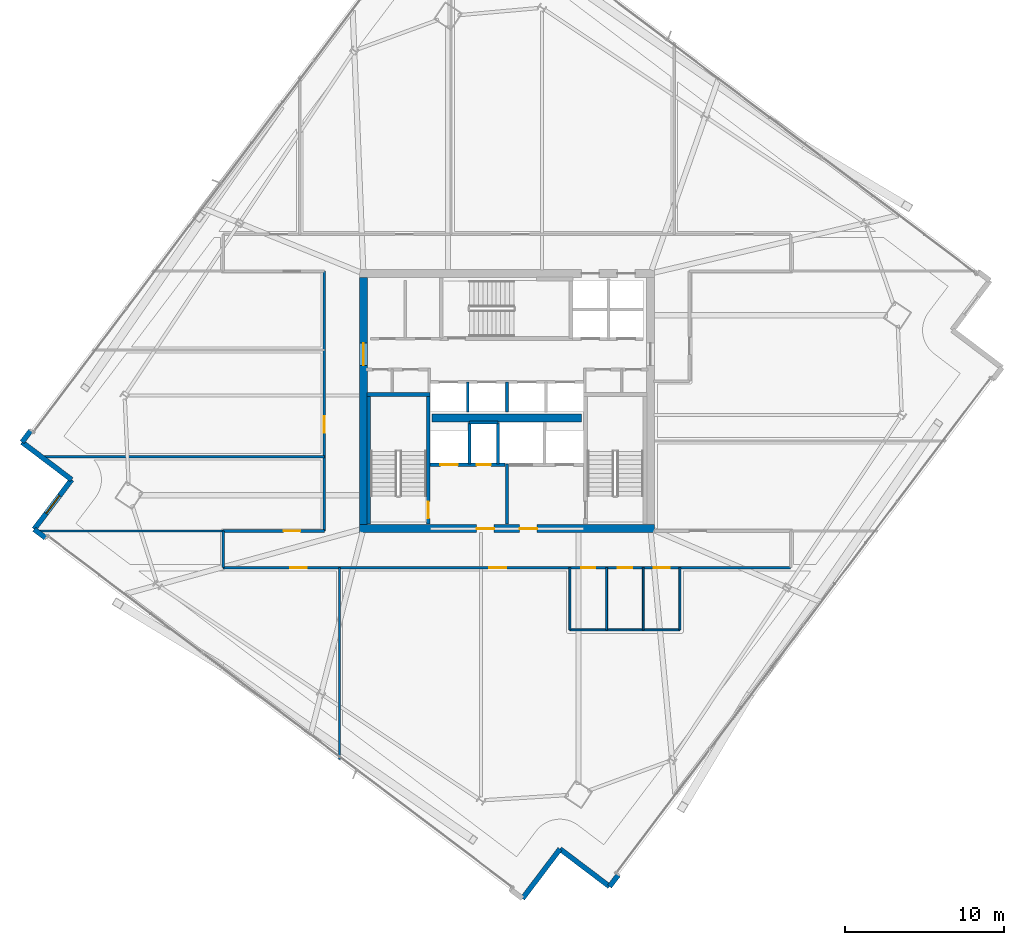
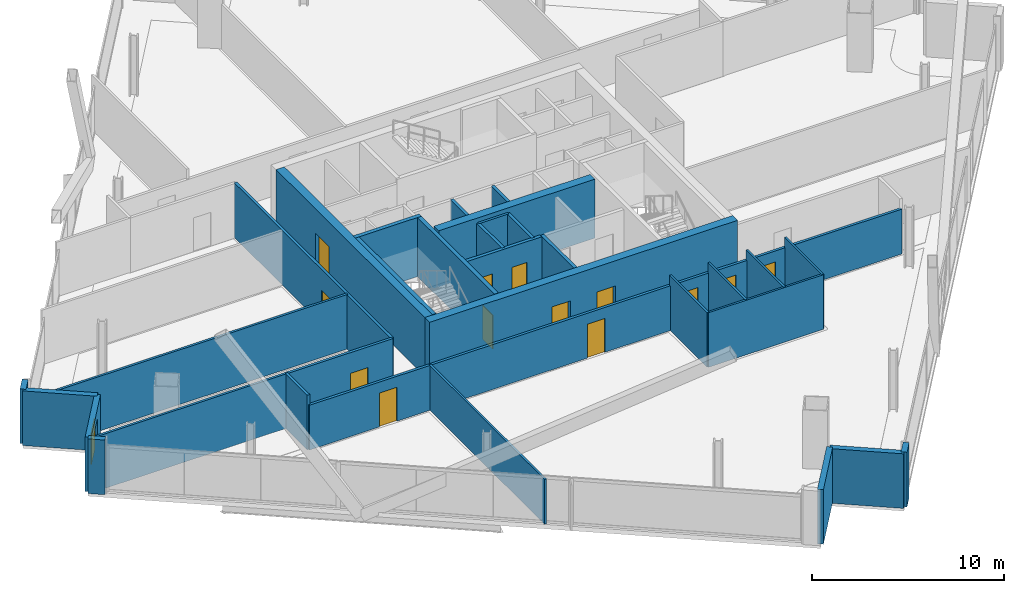
# One storey, part 26 of 34: 32 walls, 13 doors, 1 window, 14 openings.
"""IFC4 building model written with IfcOpenShell, lengths in metres."""

from ifc_helpers import new_model, si_unit, direction, frame, frame_2d, origin, place, context, subcontext, project, spatial, rectangle, extrude, material, layer, layer_set, type_object, element, fill, save


model = new_model("IFC4")

# Units and contexts
model_context = context("Model", 3, precision=1e-05, world=origin(), true_north=direction((0.0, 1.0)))
body_context = subcontext(model_context, "Body", "Model", "MODEL_VIEW")
ifc_project = project(units=[si_unit("LENGTHUNIT", "METRE"), si_unit("AREAUNIT", "SQUARE_METRE"), si_unit("VOLUMEUNIT", "CUBIC_METRE"), si_unit("PLANEANGLEUNIT", "RADIAN"), si_unit("MASSUNIT", "GRAM", prefix="KILO")], contexts=[model_context])

# Site, building, storey
site_placement = place(None, origin())
site = spatial("IfcSite", under=ifc_project, at=site_placement, CompositionType="ELEMENT")
building_placement = place(site_placement, origin())
building = spatial("IfcBuilding", under=site, at=building_placement, Name="Haldenkirk Collegiate Tower", CompositionType="ELEMENT")
storey_placement = place(building_placement, frame((0.0, 0.0, 205.949951171875)))
storey = spatial("IfcBuildingStorey", under=building, at=storey_placement, Name="L51", CompositionType="ELEMENT", Elevation=205.949951171875)

# Wall, openings, doors
ifc_material_1 = material(Name="Concrete f'c 55 MPa", Category="concrete")
ifc_layer_1 = layer(ifc_material_1, 0.5)
ifc_layer_set_1 = layer_set([ifc_layer_1], Name="Concrete f'c 55 MPa")
wall_type_1 = type_object("IfcWallType", Name="WL-CORE-500", PredefinedType="SHEAR", material=ifc_layer_set_1)
wall_1_placement = place(storey_placement, frame((26.75, 18.0, 0.0), z_axis=(0.0, 0.0, 1.0), x_axis=(1.0, 0.0, 0.0)))
wall_1 = element("IfcWall", 1, at=wall_1_placement, inside=storey, type_object=wall_type_1, Name="L51 central core shear wall S", PredefinedType="SHEAR", context=body_context, shape_type="SweptSolid", body=[
    extrude(rectangle(XDim=18.5, YDim=0.5, at=frame_2d((9.25, 0.0))), origin(), (0.0, 0.0, 1.0), 3.75),
])
opening_1_placement = place(wall_1_placement, frame((7.35009765625, 0.0, 0.0)))
opening_1 = element("IfcOpeningElement", 2, at=opening_1_placement, cuts=wall_1, Name="Opening D-02", PredefinedType="OPENING", context=body_context, shape_type="SweptSolid", body=[
    extrude(rectangle(XDim=1.10009765625, YDim=2.14990234375, at=frame_2d((0.550048828125, 1.074951171875))), frame((0.0, 0.260009765625, 0.0), z_axis=(0.0, -1.0, 0.0), x_axis=(1.0, 0.0, 0.0)), (0.0, 0.0, 1.0), 0.52001953125),
])
opening_2_placement = place(wall_1_placement, frame((10.050048828125, 0.0, 0.0)))
opening_2 = element("IfcOpeningElement", 3, at=opening_2_placement, cuts=wall_1, Name="Opening D-02", PredefinedType="OPENING", context=body_context, shape_type="SweptSolid", body=[
    extrude(rectangle(XDim=1.10009765625, YDim=2.14990234375, at=frame_2d((0.550048828125, 1.074951171875))), frame((0.0, 0.260009765625, 0.0), z_axis=(0.0, -1.0, 0.0), x_axis=(1.0, 0.0, 0.0)), (0.0, 0.0, 1.0), 0.52001953125),
])
ifc_material_2 = material(Name="Galvanized fire-rated hollow steel door", Category="steel")
ifc_layer_2 = layer(ifc_material_2, 0.06005859375)
ifc_layer_set_2 = layer_set([ifc_layer_2], Name="Galvanized fire-rated hollow steel door")
door_type_1 = type_object("IfcDoorType", Name="DR-STAIR-FD90-1100", OperationType="NOTDEFINED", PredefinedType="DOOR", material=ifc_layer_set_2)
door_1_placement = place(opening_1_placement, origin())
door_1 = element("IfcDoor", 4, at=door_1_placement, inside=storey, type_object=door_type_1, Name="L51 Firefighting Lobby 1 door", OperationType="SINGLE_SWING_RIGHT", OverallHeight=2.14990234375, OverallWidth=1.10009765625, PredefinedType="DOOR", context=body_context, shape_type="SweptSolid", body=[
    extrude(rectangle(XDim=1.10009765625, YDim=2.14990234375, at=frame_2d((0.550048828125, 1.074951171875))), frame((0.0, 0.02490234375, 0.0), z_axis=(0.0, -1.0, 0.0), x_axis=(1.0, 0.0, 0.0)), (0.0, 0.0, 1.0), 0.050048828125),
])
fill(opening_1, door_1)
door_2_placement = place(opening_2_placement, origin())
door_2 = element("IfcDoor", 5, at=door_2_placement, inside=storey, type_object=door_type_1, Name="L51 Firefighting Lobby 2 door", OperationType="SINGLE_SWING_LEFT", OverallHeight=2.14990234375, OverallWidth=1.10009765625, PredefinedType="DOOR", context=body_context, shape_type="SweptSolid", body=[
    extrude(rectangle(XDim=1.10009765625, YDim=2.14990234375, at=frame_2d((0.550048828125, 1.074951171875))), frame((0.0, 0.02490234375, 0.0), z_axis=(0.0, -1.0, 0.0), x_axis=(1.0, 0.0, 0.0)), (0.0, 0.0, 1.0), 0.050048828125),
])
fill(opening_2, door_2)

# Wall, opening, door
wall_2_placement = place(storey_placement, frame((27.0, 18.25, 0.0), z_axis=(0.0, 0.0, 1.0), x_axis=(0.0, 1.0, 0.0)))
wall_2 = element("IfcWall", 6, at=wall_2_placement, inside=storey, type_object=wall_type_1, Name="L51 central core shear wall W", PredefinedType="SHEAR", context=body_context, shape_type="SweptSolid", body=[
    extrude(rectangle(XDim=15.5, YDim=0.5, at=frame_2d((7.75, 0.0))), origin(), (0.0, 0.0, 1.0), 3.75),
])
opening_3_placement = place(wall_2_placement, frame((9.989990234375, 0.0, 0.0)))
opening_3 = element("IfcOpeningElement", 7, at=opening_3_placement, cuts=wall_2, Name="Opening D-03", PredefinedType="OPENING", context=body_context, shape_type="SweptSolid", body=[
    extrude(rectangle(XDim=1.39990234375, YDim=2.199951171875, at=frame_2d((0.699951171875, 1.10009765625))), frame((0.0, 0.260009765625, 0.0), z_axis=(0.0, -1.0, 0.0), x_axis=(1.0, 0.0, 0.0)), (0.0, 0.0, 1.0), 0.52001953125),
])
ifc_layer_3 = layer(ifc_material_2, 0.06005859375)
ifc_layer_set_3 = layer_set([ifc_layer_3], Name="Galvanized fire-rated hollow steel door")
door_type_2 = type_object("IfcDoorType", Name="DR-LOBBY-FD90-1400", OperationType="NOTDEFINED", PredefinedType="DOOR", material=ifc_layer_set_3)
door_3_placement = place(opening_3_placement, origin())
door_3 = element("IfcDoor", 8, at=door_3_placement, inside=storey, type_object=door_type_2, Name="L51 west lift lobby portal", OperationType="DOUBLE_DOOR_SINGLE_SWING", OverallHeight=2.199951171875, OverallWidth=1.39990234375, PredefinedType="DOOR", context=body_context, shape_type="SweptSolid", body=[
    extrude(rectangle(XDim=1.39990234375, YDim=2.199951171875, at=frame_2d((0.699951171875, 1.10009765625))), frame((0.0, 0.02490234375, 0.0), z_axis=(0.0, -1.0, 0.0), x_axis=(1.0, 0.0, 0.0)), (0.0, 0.0, 1.0), 0.050048828125),
])
fill(opening_3, door_3)

# Walls
wall_3_placement = place(storey_placement, frame((31.31005859375, 24.949951171875, 0.0), z_axis=(0.0, 0.0, 1.0), x_axis=(1.0, 0.0, 0.0)))
element("IfcWall", 9, at=wall_3_placement, inside=storey, type_object=wall_type_1, Name="L51 central core spine shear wall", PredefinedType="SHEAR", context=body_context, shape_type="SweptSolid", body=[
    extrude(rectangle(XDim=9.3798828125, YDim=0.5, at=frame_2d((4.68994140625, 0.0))), origin(), (0.0, 0.0, 1.0), 3.75),
])
ifc_material_3 = material(Name="Precast concrete f'c 40 MPa", Category="concrete")
ifc_layer_4 = layer(ifc_material_3, 0.320068359375)
ifc_layer_set_4 = layer_set([ifc_layer_4], Name="Precast concrete f'c 40 MPa")
wall_type_2 = type_object("IfcWallType", Name="WL-EXT-TWR-320", PredefinedType="STANDARD", material=ifc_layer_set_4)
for number, where, z_axis, x_axis, name in (
    (10, (42.980712890625, -3.728271484375, 0.0), (0.0, 0.0, 1.0), (-0.603293482745, -0.797519262261, 0.0), "L51 precast corner pier SR"),
    (11, (5.58935546875, 23.422119140625, 0.0), (0.0, 0.0, 1.0), (0.603293482745, 0.797519262261, 0.0), "L51 precast corner pier NL"),
):
    element("IfcWall", number, at=place(storey_placement, frame(where, z_axis=z_axis, x_axis=x_axis)), inside=storey, type_object=wall_type_2, Name=name, PredefinedType="STANDARD", context=body_context, shape_type="SweptSolid", body=[
        extrude(rectangle(XDim=0.89990234375, YDim=0.320068359375, at=frame_2d((0.449951171875, 0.0))), origin(), (0.0, 0.0, 1.0), 3.469970703125),
    ])
wall_4_placement = place(storey_placement, frame((8.699951171875, 21.069580078125, 0.0), z_axis=(0.0, 0.0, 1.0), x_axis=(-0.797582200659, 0.603210272784, 0.0)))
element("IfcWall", 12, at=wall_4_placement, inside=storey, type_object=wall_type_2, Name="L51 bronze precast notch wall 08", PredefinedType="STANDARD", context=body_context, shape_type="SweptSolid", body=[
    extrude(rectangle(XDim=3.900146484375, YDim=0.320068359375, at=frame_2d((1.9501953125, 0.0))), origin(), (0.0, 0.0, 1.0), 3.469970703125),
])

# Wall, opening, window
wall_5_placement = place(storey_placement, frame((6.347412109375, 17.958984375, 0.0), z_axis=(0.0, 0.0, 1.0), x_axis=(0.603210272784, 0.797582200659, 0.0)))
wall_5 = element("IfcWall", 13, at=wall_5_placement, inside=storey, type_object=wall_type_2, Name="L51 bronze precast notch wall 09", PredefinedType="STANDARD", context=body_context, shape_type="SweptSolid", body=[
    extrude(rectangle(XDim=3.900146484375, YDim=0.320068359375, at=frame_2d((1.9501953125, 0.0))), origin(), (0.0, 0.0, 1.0), 3.469970703125),
])
opening_4_placement = place(wall_5_placement, frame((1.25, 0.0, 0.85009765625)))
opening_4 = element("IfcOpeningElement", 14, at=opening_4_placement, cuts=wall_5, Name="Opening W-06", PredefinedType="OPENING", context=body_context, shape_type="SweptSolid", body=[
    extrude(rectangle(XDim=1.39990234375, YDim=2.0, at=frame_2d((0.699951171875, 1.0))), frame((0.0, 0.169921875, 0.0), z_axis=(0.0, -1.0, 0.0), x_axis=(1.0, 0.0, 0.0)), (0.0, 0.0, 1.0), 0.340087890625),
])
ifc_material_4 = material(Name="Low-E argon triple insulating glass", Category="glass")
ifc_layer_5 = layer(ifc_material_4, 0.090087890625)
ifc_layer_set_5 = layer_set([ifc_layer_5], Name="Low-E argon triple insulating glass")
window_type = type_object("IfcWindowType", Name="WN-Z4-1400X2000", PartitioningType="SINGLE_PANEL", PredefinedType="WINDOW", material=ifc_layer_set_5)
window_placement = place(opening_4_placement, origin())
window = element("IfcWindow", 15, at=window_placement, inside=storey, type_object=window_type, Name="L51 precast-frame academic window 8", OverallHeight=2.0, OverallWidth=1.39990234375, PartitioningType="SINGLE_PANEL", PredefinedType="WINDOW", context=body_context, shape_type="SweptSolid", body=[
    extrude(rectangle(XDim=1.39990234375, YDim=2.0, at=frame_2d((0.699951171875, 1.0))), frame((0.0, 0.030029296875, 0.0), z_axis=(0.0, -1.0, 0.0), x_axis=(1.0, 0.0, 0.0)), (0.0, 0.0, 1.0), 0.06005859375),
])
fill(opening_4, window)

# Walls
wall_6_placement = place(storey_placement, frame((7.065185546875, 17.416015625, 0.0), z_axis=(0.0, 0.0, 1.0), x_axis=(-0.797519262261, 0.603293482745, 0.0)))
element("IfcWall", 16, at=wall_6_placement, inside=storey, type_object=wall_type_2, Name="L51 precast corner pier WR", PredefinedType="STANDARD", context=body_context, shape_type="SweptSolid", body=[
    extrude(rectangle(XDim=0.89990234375, YDim=0.320068359375, at=frame_2d((0.449951171875, 0.0))), origin(), (0.0, 0.0, 1.0), 3.469970703125),
])
for number, where, z_axis, x_axis, name in (
    (17, (39.3271484375, -2.093505859375, 0.0), (0.0, 0.0, 1.0), (-0.603210272784, -0.797582200659, 0.0), "L51 bronze precast notch wall 11"),
    (18, (42.437744140625, -4.446044921875, 0.0), (0.0, 0.0, 1.0), (-0.797582200659, 0.603210272784, 0.0), "L51 bronze precast notch wall 12"),
):
    element("IfcWall", number, at=place(storey_placement, frame(where, z_axis=z_axis, x_axis=x_axis)), inside=storey, type_object=wall_type_2, Name=name, PredefinedType="STANDARD", context=body_context, shape_type="SweptSolid", body=[
        extrude(rectangle(XDim=3.900146484375, YDim=0.320068359375, at=frame_2d((1.9501953125, 0.0))), origin(), (0.0, 0.0, 1.0), 3.469970703125),
    ])

# Wall, openings, doors
ifc_material_5 = material(Name="Acoustic fire-rated gypsum partition", Category="concrete")
ifc_layer_6 = layer(ifc_material_5, 0.159912109375)
ifc_layer_set_6 = layer_set([ifc_layer_6], Name="Acoustic fire-rated gypsum partition")
wall_type_3 = type_object("IfcWallType", Name="WL-INT-CORR-160", PredefinedType="PARTITIONING", material=ifc_layer_set_6)
wall_7_placement = place(storey_placement, frame((18.199951171875, 15.550048828125, 0.0), z_axis=(0.0, 0.0, 1.0), x_axis=(1.0, 0.0, 0.0)))
wall_7 = element("IfcWall", 19, at=wall_7_placement, inside=storey, type_object=wall_type_3, Name="L51 interior partition IW-L51-CS", PredefinedType="PARTITIONING", context=body_context, shape_type="SweptSolid", body=[
    extrude(rectangle(XDim=35.60009765625, YDim=0.159912109375, at=frame_2d((17.800048828125, 0.0))), origin(), (0.0, 0.0, 1.0), 2.84912109375),
])
opening_5_placement = place(wall_7_placement, frame((22.449951171875, 0.0, 0.0)))
opening_5 = element("IfcOpeningElement", 20, at=opening_5_placement, cuts=wall_7, Name="Opening D-13", PredefinedType="OPENING", context=body_context, shape_type="SweptSolid", body=[
    extrude(rectangle(XDim=0.89990234375, YDim=2.14990234375, at=frame_2d((0.449951171875, 1.074951171875))), frame((0.0, 0.08984375, 0.0), z_axis=(0.0, -1.0, 0.0), x_axis=(1.0, 0.0, 0.0)), (0.0, 0.0, 1.0), 0.179931640625),
])
opening_6_placement = place(wall_7_placement, frame((24.75, 0.0, 0.0)))
opening_6 = element("IfcOpeningElement", 21, at=opening_6_placement, cuts=wall_7, Name="Opening D-13", PredefinedType="OPENING", context=body_context, shape_type="SweptSolid", body=[
    extrude(rectangle(XDim=0.89990234375, YDim=2.14990234375, at=frame_2d((0.449951171875, 1.074951171875))), frame((0.0, 0.08984375, 0.0), z_axis=(0.0, -1.0, 0.0), x_axis=(1.0, 0.0, 0.0)), (0.0, 0.0, 1.0), 0.179931640625),
])
opening_7_placement = place(wall_7_placement, frame((27.0, 0.0, 0.0)))
opening_7 = element("IfcOpeningElement", 22, at=opening_7_placement, cuts=wall_7, Name="Opening D-14", PredefinedType="OPENING", context=body_context, shape_type="SweptSolid", body=[
    extrude(rectangle(XDim=1.0, YDim=2.14990234375, at=frame_2d((0.5, 1.074951171875))), frame((0.0, 0.08984375, 0.0), z_axis=(0.0, -1.0, 0.0), x_axis=(1.0, 0.0, 0.0)), (0.0, 0.0, 1.0), 0.179931640625),
])
opening_8_placement = place(wall_7_placement, frame((4.20703125, 0.0, 0.0)))
opening_8 = element("IfcOpeningElement", 23, at=opening_8_placement, cuts=wall_7, Name="Opening D-09", PredefinedType="OPENING", context=body_context, shape_type="SweptSolid", body=[
    extrude(rectangle(XDim=1.050048828125, YDim=2.14990234375, at=frame_2d((0.52490234375, 1.074951171875))), frame((0.0, 0.08984375, 0.0), z_axis=(0.0, -1.0, 0.0), x_axis=(1.0, 0.0, 0.0)), (0.0, 0.0, 1.0), 0.179931640625),
])
opening_9_placement = place(wall_7_placement, frame((16.70703125, 0.0, 0.0)))
opening_9 = element("IfcOpeningElement", 24, at=opening_9_placement, cuts=wall_7, Name="Opening D-09", PredefinedType="OPENING", context=body_context, shape_type="SweptSolid", body=[
    extrude(rectangle(XDim=1.050048828125, YDim=2.14990234375, at=frame_2d((0.52490234375, 1.074951171875))), frame((0.0, 0.08984375, 0.0), z_axis=(0.0, -1.0, 0.0), x_axis=(1.0, 0.0, 0.0)), (0.0, 0.0, 1.0), 0.179931640625),
])
ifc_material_6 = material(Name="Solid-core architectural oak fire door", Category="wood")
ifc_layer_7 = layer(ifc_material_6, 0.06005859375)
ifc_layer_set_7 = layer_set([ifc_layer_7], Name="Solid-core architectural oak fire door")
door_type_3 = type_object("IfcDoorType", Name="DR-INT-ACC-1000", OperationType="NOTDEFINED", PredefinedType="DOOR", material=ifc_layer_set_7)
door_4_placement = place(opening_7_placement, origin())
door_4 = element("IfcDoor", 25, at=door_4_placement, inside=storey, type_object=door_type_3, Name="L51 Accessible WC door", OperationType="SINGLE_SWING_LEFT", OverallHeight=2.14990234375, OverallWidth=1.0, PredefinedType="DOOR", context=body_context, shape_type="SweptSolid", body=[
    extrude(rectangle(XDim=1.0, YDim=2.14990234375, at=frame_2d((0.5, 1.074951171875))), frame((0.0, 0.02490234375, 0.0), z_axis=(0.0, -1.0, 0.0), x_axis=(1.0, 0.0, 0.0)), (0.0, 0.0, 1.0), 0.050048828125),
])
fill(opening_7, door_4)
ifc_layer_8 = layer(ifc_material_6, 0.06005859375)
ifc_layer_set_8 = layer_set([ifc_layer_8], Name="Solid-core architectural oak fire door")
door_type_4 = type_object("IfcDoorType", Name="DR-INT-FD60-1050", OperationType="NOTDEFINED", PredefinedType="DOOR", material=ifc_layer_set_8)
door_5_placement = place(opening_8_placement, origin())
door_5 = element("IfcDoor", 26, at=door_5_placement, inside=storey, type_object=door_type_4, Name="L51 Academic Tea Kitchen 1 door", OperationType="SINGLE_SWING_RIGHT", OverallHeight=2.14990234375, OverallWidth=1.050048828125, PredefinedType="DOOR", context=body_context, shape_type="SweptSolid", body=[
    extrude(rectangle(XDim=1.050048828125, YDim=2.14990234375, at=frame_2d((0.52490234375, 1.074951171875))), frame((0.0, 0.02490234375, 0.0), z_axis=(0.0, -1.0, 0.0), x_axis=(1.0, 0.0, 0.0)), (0.0, 0.0, 1.0), 0.050048828125),
])
fill(opening_8, door_5)
door_6_placement = place(opening_9_placement, origin())
door_6 = element("IfcDoor", 27, at=door_6_placement, inside=storey, type_object=door_type_4, Name="L51 Catering Tea Kitchen 2 door", OperationType="SINGLE_SWING_LEFT", OverallHeight=2.14990234375, OverallWidth=1.050048828125, PredefinedType="DOOR", context=body_context, shape_type="SweptSolid", body=[
    extrude(rectangle(XDim=1.050048828125, YDim=2.14990234375, at=frame_2d((0.52490234375, 1.074951171875))), frame((0.0, 0.02490234375, 0.0), z_axis=(0.0, -1.0, 0.0), x_axis=(1.0, 0.0, 0.0)), (0.0, 0.0, 1.0), 0.050048828125),
])
fill(opening_9, door_6)
ifc_layer_9 = layer(ifc_material_6, 0.06005859375)
ifc_layer_set_9 = layer_set([ifc_layer_9], Name="Solid-core architectural oak fire door")
door_type_5 = type_object("IfcDoorType", Name="DR-INT-STD-900", OperationType="NOTDEFINED", PredefinedType="DOOR", material=ifc_layer_set_9)
door_7_placement = place(opening_5_placement, origin())
door_7 = element("IfcDoor", 28, at=door_7_placement, inside=storey, type_object=door_type_5, Name="L51 Male WC door", OperationType="SINGLE_SWING_LEFT", OverallHeight=2.14990234375, OverallWidth=0.89990234375, PredefinedType="DOOR", context=body_context, shape_type="SweptSolid", body=[
    extrude(rectangle(XDim=0.89990234375, YDim=2.14990234375, at=frame_2d((0.449951171875, 1.074951171875))), frame((0.0, 0.02490234375, 0.0), z_axis=(0.0, -1.0, 0.0), x_axis=(1.0, 0.0, 0.0)), (0.0, 0.0, 1.0), 0.050048828125),
])
fill(opening_5, door_7)
door_8_placement = place(opening_6_placement, origin())
door_8 = element("IfcDoor", 29, at=door_8_placement, inside=storey, type_object=door_type_5, Name="L51 Female WC door", OperationType="SINGLE_SWING_RIGHT", OverallHeight=2.14990234375, OverallWidth=0.89990234375, PredefinedType="DOOR", context=body_context, shape_type="SweptSolid", body=[
    extrude(rectangle(XDim=0.89990234375, YDim=2.14990234375, at=frame_2d((0.449951171875, 1.074951171875))), frame((0.0, 0.02490234375, 0.0), z_axis=(0.0, -1.0, 0.0), x_axis=(1.0, 0.0, 0.0)), (0.0, 0.0, 1.0), 0.050048828125),
])
fill(opening_6, door_8)

# Wall, opening, door
wall_8_placement = place(storey_placement, frame((18.199951171875, 17.85009765625, 0.0), z_axis=(0.0, 0.0, 1.0), x_axis=(1.0, 0.0, 0.0)))
wall_8 = element("IfcWall", 30, at=wall_8_placement, inside=storey, type_object=wall_type_3, Name="L51 interior partition IW-L51-CSW", PredefinedType="PARTITIONING", context=body_context, shape_type="SweptSolid", body=[
    extrude(rectangle(XDim=6.35009765625, YDim=0.159912109375, at=frame_2d((3.175048828125, 0.0))), origin(), (0.0, 0.0, 1.0), 3.469970703125),
])
opening_10_placement = place(wall_8_placement, frame((3.79296875, 0.0, 0.0)))
opening_10 = element("IfcOpeningElement", 31, at=opening_10_placement, cuts=wall_8, Name="Opening D-09", PredefinedType="OPENING", context=body_context, shape_type="SweptSolid", body=[
    extrude(rectangle(XDim=1.050048828125, YDim=2.14990234375, at=frame_2d((0.52490234375, 1.074951171875))), frame((0.0, 0.08984375, 0.0), z_axis=(0.0, -1.0, 0.0), x_axis=(1.0, 0.0, 0.0)), (0.0, 0.0, 1.0), 0.179931640625),
])
door_9_placement = place(opening_10_placement, origin())
door_9 = element("IfcDoor", 32, at=door_9_placement, inside=storey, type_object=door_type_4, Name="L51 Academic Tea Kitchen 7 door", OperationType="SINGLE_SWING_RIGHT", OverallHeight=2.14990234375, OverallWidth=1.050048828125, PredefinedType="DOOR", context=body_context, shape_type="SweptSolid", body=[
    extrude(rectangle(XDim=1.050048828125, YDim=2.14990234375, at=frame_2d((0.52490234375, 1.074951171875))), frame((0.0, 0.02490234375, 0.0), z_axis=(0.0, -1.0, 0.0), x_axis=(1.0, 0.0, 0.0)), (0.0, 0.0, 1.0), 0.050048828125),
])
fill(opening_10, door_9)

wall_9_placement = place(storey_placement, frame((24.550048828125, 17.85009765625, 0.0), z_axis=(0.0, 0.0, 1.0), x_axis=(0.0, 1.0, 0.0)))
wall_9 = element("IfcWall", 33, at=wall_9_placement, inside=storey, type_object=wall_type_3, Name="L51 interior partition IW-L51-CW", PredefinedType="PARTITIONING", context=body_context, shape_type="SweptSolid", body=[
    extrude(rectangle(XDim=16.2998046875, YDim=0.159912109375, at=frame_2d((8.14990234375, 0.0))), origin(), (0.0, 0.0, 1.0), 3.469970703125),
])
opening_11_placement = place(wall_9_placement, frame((6.14892578125, 0.0, 0.0)))
opening_11 = element("IfcOpeningElement", 34, at=opening_11_placement, cuts=wall_9, Name="Opening D-09", PredefinedType="OPENING", context=body_context, shape_type="SweptSolid", body=[
    extrude(rectangle(XDim=1.050048828125, YDim=2.14990234375, at=frame_2d((0.52490234375, 1.074951171875))), frame((0.0, 0.08984375, 0.0), z_axis=(0.0, -1.0, 0.0), x_axis=(1.0, 0.0, 0.0)), (0.0, 0.0, 1.0), 0.179931640625),
])
door_10_placement = place(opening_11_placement, origin())
door_10 = element("IfcDoor", 35, at=door_10_placement, inside=storey, type_object=door_type_4, Name="L51 Catering Tea Kitchen 8 door", OperationType="SINGLE_SWING_LEFT", OverallHeight=2.14990234375, OverallWidth=1.050048828125, PredefinedType="DOOR", context=body_context, shape_type="SweptSolid", body=[
    extrude(rectangle(XDim=1.050048828125, YDim=2.14990234375, at=frame_2d((0.52490234375, 1.074951171875))), frame((0.0, 0.02490234375, 0.0), z_axis=(0.0, -1.0, 0.0), x_axis=(1.0, 0.0, 0.0)), (0.0, 0.0, 1.0), 0.050048828125),
])
fill(opening_11, door_10)

# Walls
wall_10_placement = place(storey_placement, frame((18.199951171875, 15.550048828125, 0.0), z_axis=(0.0, 0.0, 1.0), x_axis=(0.0, 1.0, 0.0)))
element("IfcWall", 36, at=wall_10_placement, inside=storey, type_object=wall_type_3, Name="L51 interior partition IW-L51-CSL", PredefinedType="PARTITIONING", context=body_context, shape_type="SweptSolid", body=[
    extrude(rectangle(XDim=2.300048828125, YDim=0.159912109375, at=frame_2d((1.14990234375, 0.0))), origin(), (0.0, 0.0, 1.0), 3.469970703125),
])
ifc_layer_10 = layer(ifc_material_5, 0.139892578125)
ifc_layer_set_10 = layer_set([ifc_layer_10], Name="Acoustic fire-rated gypsum partition")
wall_type_4 = type_object("IfcWallType", Name="WL-INT-DIV-140", PredefinedType="PARTITIONING", material=ifc_layer_set_10)
wall_11_placement = place(storey_placement, frame((6.557861328125, 17.85009765625, 0.0), z_axis=(0.0, 0.0, 1.0), x_axis=(1.0, 0.0, 0.0)))
element("IfcWall", 37, at=wall_11_placement, inside=storey, type_object=wall_type_4, Name="L51 interior partition IW-L51-BWS", PredefinedType="PARTITIONING", context=body_context, shape_type="SweptSolid", body=[
    extrude(rectangle(XDim=11.64208984375, YDim=0.139892578125, at=frame_2d((5.821044921875, 0.0))), origin(), (0.0, 0.0, 1.0), 3.469970703125),
])
wall_12_placement = place(storey_placement, frame((6.875, 22.5, 0.0), z_axis=(0.0, 0.0, 1.0), x_axis=(1.0, 0.0, 0.0)))
element("IfcWall", 38, at=wall_12_placement, inside=storey, type_object=wall_type_4, Name="L51 interior partition IW-L51-RW1", PredefinedType="PARTITIONING", context=body_context, shape_type="SweptSolid", body=[
    extrude(rectangle(XDim=17.675048828125, YDim=0.139892578125, at=frame_2d((8.83740234375, 0.0))), origin(), (0.0, 0.0, 1.0), 3.469970703125),
])
ifc_material_7 = material(Name="Fire-rated gypsum shaftboard assembly", Category="concrete")
ifc_layer_11 = layer(ifc_material_7, 0.179931640625)
ifc_layer_set_11 = layer_set([ifc_layer_11], Name="Fire-rated gypsum shaftboard assembly")
wall_type_5 = type_object("IfcWallType", Name="WL-INT-SHAFT-180", PredefinedType="PARTITIONING", material=ifc_layer_set_11)
for number, where, z_axis, x_axis, name in (
    (39, (33.64990234375, 22.050048828125, 0.0), (0.0, 0.0, 1.0), (0.0, 1.0, 0.0), "L51 interior partition IW-L51-FL1E"),
    (40, (35.449951171875, 22.050048828125, 0.0), (0.0, 0.0, 1.0), (0.0, 1.0, 0.0), "L51 interior partition IW-L51-GL1W"),
):
    element("IfcWall", number, at=place(storey_placement, frame(where, z_axis=z_axis, x_axis=x_axis)), inside=storey, type_object=wall_type_5, Name=name, PredefinedType="PARTITIONING", context=body_context, shape_type="SweptSolid", body=[
        extrude(rectangle(XDim=2.599853515625, YDim=0.179931640625, at=frame_2d((1.2998046875, 0.0))), origin(), (0.0, 0.0, 1.0), 3.469970703125),
    ])
wall_13_placement = place(storey_placement, frame((33.64990234375, 24.64990234375, 0.0), z_axis=(0.0, 0.0, 1.0), x_axis=(1.0, 0.0, 0.0)))
element("IfcWall", 41, at=wall_13_placement, inside=storey, type_object=wall_type_5, Name="L51 interior partition IW-L51-RSRN", PredefinedType="PARTITIONING", context=body_context, shape_type="SweptSolid", body=[
    extrude(rectangle(XDim=1.800048828125, YDim=0.179931640625, at=frame_2d((0.89990234375, 0.0))), origin(), (0.0, 0.0, 1.0), 3.469970703125),
])
for number, where, z_axis, x_axis, name in (
    (42, (33.5400390625, 25.300048828125, 0.0), (0.0, 0.0, 1.0), (0.0, 1.0, 0.0), "L51 interior partition IW-L51-PHV1"),
    (43, (36.0, 25.300048828125, 0.0), (0.0, 0.0, 1.0), (0.0, 1.0, 0.0), "L51 interior partition IW-L51-PHV2"),
):
    element("IfcWall", number, at=place(storey_placement, frame(where, z_axis=z_axis, x_axis=x_axis)), inside=storey, type_object=wall_type_5, Name=name, PredefinedType="PARTITIONING", context=body_context, shape_type="SweptSolid", body=[
        extrude(rectangle(XDim=1.89990234375, YDim=0.179931640625, at=frame_2d((0.949951171875, 0.0))), origin(), (0.0, 0.0, 1.0), 3.469970703125),
    ])
ifc_layer_12 = layer(ifc_material_7, 0.199951171875)
ifc_layer_set_12 = layer_set([ifc_layer_12], Name="Fire-rated gypsum shaftboard assembly")
wall_type_6 = type_object("IfcWallType", Name="WL-INT-SHAFT-200", PredefinedType="PARTITIONING", material=ifc_layer_set_12)
wall_14_placement = place(storey_placement, frame((36.0, 18.280029296875, 0.0), z_axis=(0.0, 0.0, 1.0), x_axis=(0.0, 1.0, 0.0)))
element("IfcWall", 44, at=wall_14_placement, inside=storey, type_object=wall_type_6, Name="L51 interior partition IW-L51-FFLM", PredefinedType="PARTITIONING", context=body_context, shape_type="SweptSolid", body=[
    extrude(rectangle(XDim=3.77001953125, YDim=0.199951171875, at=frame_2d((1.885009765625, 0.0))), origin(), (0.0, 0.0, 1.0), 3.469970703125),
])

# Wall, openings, doors
wall_15_placement = place(storey_placement, frame((31.18994140625, 22.0, 0.0), z_axis=(0.0, 0.0, 1.0), x_axis=(1.0, 0.0, 0.0)))
wall_15 = element("IfcWall", 45, at=wall_15_placement, inside=storey, type_object=wall_type_6, Name="L51 interior partition IW-L51-FFL1N", PredefinedType="PARTITIONING", context=body_context, shape_type="SweptSolid", body=[
    extrude(rectangle(XDim=4.68994140625, YDim=0.199951171875, at=frame_2d((2.344970703125, 0.0))), origin(), (0.0, 0.0, 1.0), 3.469970703125),
])
opening_12_placement = place(wall_15_placement, frame((2.909912109375, 0.0, 0.0)))
opening_12 = element("IfcOpeningElement", 46, at=opening_12_placement, cuts=wall_15, Name="Opening D-06", PredefinedType="OPENING", context=body_context, shape_type="SweptSolid", body=[
    extrude(rectangle(XDim=0.89990234375, YDim=2.14990234375, at=frame_2d((0.449951171875, 1.074951171875))), frame((0.0, 0.10986328125, 0.0), z_axis=(0.0, -1.0, 0.0), x_axis=(1.0, 0.0, 0.0)), (0.0, 0.0, 1.0), 0.219970703125),
])
opening_13_placement = place(wall_15_placement, frame((0.635009765625, 0.0, 0.0)))
opening_13 = element("IfcOpeningElement", 47, at=opening_13_placement, cuts=wall_15, Name="Opening LD-12", PredefinedType="OPENING", context=body_context, shape_type="SweptSolid", body=[
    extrude(rectangle(XDim=1.10009765625, YDim=2.14990234375, at=frame_2d((0.550048828125, 1.074951171875))), frame((0.0, 0.10986328125, 0.0), z_axis=(0.0, -1.0, 0.0), x_axis=(1.0, 0.0, 0.0)), (0.0, 0.0, 1.0), 0.219970703125),
])
ifc_layer_13 = layer(ifc_material_2, 0.06005859375)
ifc_layer_set_13 = layer_set([ifc_layer_13], Name="Galvanized fire-rated hollow steel door")
door_type_6 = type_object("IfcDoorType", Name="DR-INT-FD90-900", OperationType="NOTDEFINED", PredefinedType="DOOR", material=ifc_layer_set_13)
door_11_placement = place(opening_12_placement, origin())
door_11 = element("IfcDoor", 48, at=door_11_placement, inside=storey, type_object=door_type_6, Name="L51 electrical riser door", OperationType="SINGLE_SWING_RIGHT", OverallHeight=2.14990234375, OverallWidth=0.89990234375, PredefinedType="DOOR", context=body_context, shape_type="SweptSolid", body=[
    extrude(rectangle(XDim=0.89990234375, YDim=2.14990234375, at=frame_2d((0.449951171875, 1.074951171875))), frame((0.0, 0.02490234375, 0.0), z_axis=(0.0, -1.0, 0.0), x_axis=(1.0, 0.0, 0.0)), (0.0, 0.0, 1.0), 0.050048828125),
])
fill(opening_12, door_11)
ifc_material_8 = material(Name="Brushed architectural stainless steel", Category="steel")
ifc_layer_14 = layer(ifc_material_8, 0.06005859375)
ifc_layer_set_14 = layer_set([ifc_layer_14], Name="Brushed architectural stainless steel")
door_type_7 = type_object("IfcDoorType", Name="LD-FIRE-1100", OperationType="NOTDEFINED", PredefinedType="DOOR", material=ifc_layer_set_14)
door_12_placement = place(opening_13_placement, origin())
door_12 = element("IfcDoor", 49, at=door_12_placement, inside=storey, type_object=door_type_7, Name="L51 Elevator FL1 sliding landing door", OperationType="SLIDING_TO_LEFT", OverallHeight=2.14990234375, OverallWidth=1.10009765625, PredefinedType="DOOR", context=body_context, shape_type="SweptSolid", body=[
    extrude(rectangle(XDim=1.10009765625, YDim=2.14990234375, at=frame_2d((0.550048828125, 1.074951171875))), frame((0.0, 0.02490234375, 0.0), z_axis=(0.0, -1.0, 0.0), x_axis=(1.0, 0.0, 0.0)), (0.0, 0.0, 1.0), 0.050048828125),
])
fill(opening_13, door_12)

# Walls
ifc_layer_15 = layer(ifc_material_5, 0.1201171875)
ifc_layer_set_15 = layer_set([ifc_layer_15], Name="Acoustic fire-rated gypsum partition")
wall_type_7 = type_object("IfcWallType", Name="WL-INT-WET-120", PredefinedType="PARTITIONING", material=ifc_layer_set_15)
for number, where, z_axis, x_axis, name in (
    (50, (39.949951171875, 11.64990234375, 0.0), (0.0, 0.0, 1.0), (0.0, 1.0, 0.0), "L51 interior partition IW-L51-WCW"),
    (51, (42.25, 11.64990234375, 0.0), (0.0, 0.0, 1.0), (0.0, 1.0, 0.0), "L51 interior partition IW-L51-WC1"),
    (52, (44.550048828125, 11.64990234375, 0.0), (0.0, 0.0, 1.0), (0.0, 1.0, 0.0), "L51 interior partition IW-L51-WC2"),
    (53, (46.85009765625, 11.64990234375, 0.0), (0.0, 0.0, 1.0), (0.0, 1.0, 0.0), "L51 interior partition IW-L51-WCE"),
):
    element("IfcWall", number, at=place(storey_placement, frame(where, z_axis=z_axis, x_axis=x_axis)), inside=storey, type_object=wall_type_7, Name=name, PredefinedType="PARTITIONING", context=body_context, shape_type="SweptSolid", body=[
        extrude(rectangle(XDim=3.900146484375, YDim=0.1201171875, at=frame_2d((1.9501953125, 0.0))), origin(), (0.0, 0.0, 1.0), 3.469970703125),
    ])
wall_16_placement = place(storey_placement, frame((39.949951171875, 11.64990234375, 0.0), z_axis=(0.0, 0.0, 1.0), x_axis=(1.0, 0.0, 0.0)))
element("IfcWall", 54, at=wall_16_placement, inside=storey, type_object=wall_type_7, Name="L51 interior partition IW-L51-WCB", PredefinedType="PARTITIONING", context=body_context, shape_type="SweptSolid", body=[
    extrude(rectangle(XDim=6.900146484375, YDim=0.1201171875, at=frame_2d((3.4501953125, 0.0))), origin(), (0.0, 0.0, 1.0), 3.469970703125),
])
wall_17_placement = place(storey_placement, frame((25.5, 3.524169921875, 0.0), z_axis=(0.0, 0.0, 1.0), x_axis=(0.0, 1.0, 0.0)))
element("IfcWall", 55, at=wall_17_placement, inside=storey, type_object=wall_type_7, Name="L51 interior partition IW-L51-RS1", PredefinedType="PARTITIONING", context=body_context, shape_type="SweptSolid", body=[
    extrude(rectangle(XDim=12.02587890625, YDim=0.1201171875, at=frame_2d((6.012939453125, 0.0))), origin(), (0.0, 0.0, 1.0), 2.84912109375),
])

# Wall, opening, door
ifc_layer_16 = layer(ifc_material_1, 0.239990234375)
ifc_layer_set_16 = layer_set([ifc_layer_16], Name="Concrete f'c 55 MPa")
wall_type_8 = type_object("IfcWallType", Name="WL-SHAFT-240", PredefinedType="SHEAR", material=ifc_layer_set_16)
wall_18_placement = place(storey_placement, frame((31.070068359375, 18.280029296875, 0.0), z_axis=(0.0, 0.0, 1.0), x_axis=(0.0, 1.0, 0.0)))
wall_18 = element("IfcWall", 56, at=wall_18_placement, inside=storey, type_object=wall_type_8, Name="L51 stair shaft shear wall SW-L51-ST1E", PredefinedType="SHEAR", context=body_context, shape_type="SweptSolid", body=[
    extrude(rectangle(XDim=8.260009765625, YDim=0.239990234375, at=frame_2d((4.1298828125, 0.0))), origin(), (0.0, 0.0, 1.0), 3.75),
])
opening_14_placement = place(wall_18_placement, frame((0.364990234375, 0.0, 0.0)))
opening_14 = element("IfcOpeningElement", 57, at=opening_14_placement, cuts=wall_18, Name="Opening D-01", PredefinedType="OPENING", context=body_context, shape_type="SweptSolid", body=[
    extrude(rectangle(XDim=1.050048828125, YDim=2.14990234375, at=frame_2d((0.52490234375, 1.074951171875))), frame((0.0, 0.1298828125, 0.0), z_axis=(0.0, -1.0, 0.0), x_axis=(1.0, 0.0, 0.0)), (0.0, 0.0, 1.0), 0.260009765625),
])
ifc_layer_17 = layer(ifc_material_2, 0.06005859375)
ifc_layer_set_17 = layer_set([ifc_layer_17], Name="Galvanized fire-rated hollow steel door")
door_type_8 = type_object("IfcDoorType", Name="DR-STAIR-FD90-1050", OperationType="NOTDEFINED", PredefinedType="DOOR", material=ifc_layer_set_17)
door_13_placement = place(opening_14_placement, origin())
door_13 = element("IfcDoor", 58, at=door_13_placement, inside=storey, type_object=door_type_8, Name="L51 Stair 1 door", OperationType="SINGLE_SWING_LEFT", OverallHeight=2.14990234375, OverallWidth=1.050048828125, PredefinedType="DOOR", context=body_context, shape_type="SweptSolid", body=[
    extrude(rectangle(XDim=1.050048828125, YDim=2.14990234375, at=frame_2d((0.52490234375, 1.074951171875))), frame((0.0, 0.02490234375, 0.0), z_axis=(0.0, -1.0, 0.0), x_axis=(1.0, 0.0, 0.0)), (0.0, 0.0, 1.0), 0.050048828125),
])
fill(opening_14, door_13)

# Walls
wall_19_placement = place(storey_placement, frame((27.2099609375, 26.419921875, 0.0), z_axis=(0.0, 0.0, 1.0), x_axis=(1.0, 0.0, 0.0)))
element("IfcWall", 59, at=wall_19_placement, inside=storey, type_object=wall_type_8, Name="L51 stair shaft shear wall SW-L51-ST1N", PredefinedType="SHEAR", context=body_context, shape_type="SweptSolid", body=[
    extrude(rectangle(XDim=3.97998046875, YDim=0.239990234375, at=frame_2d((1.989990234375, 0.0))), origin(), (0.0, 0.0, 1.0), 3.75),
])
wall_20_placement = place(storey_placement, frame((27.330078125, 18.280029296875, 0.0), z_axis=(0.0, 0.0, 1.0), x_axis=(0.0, 1.0, 0.0)))
element("IfcWall", 60, at=wall_20_placement, inside=storey, type_object=wall_type_8, Name="L51 stair shaft shear wall SW-L51-ST1W", PredefinedType="SHEAR", context=body_context, shape_type="SweptSolid", body=[
    extrude(rectangle(XDim=8.260009765625, YDim=0.239990234375, at=frame_2d((4.1298828125, 0.0))), origin(), (0.0, 0.0, 1.0), 3.75),
])

save(model, "model.ifc")
